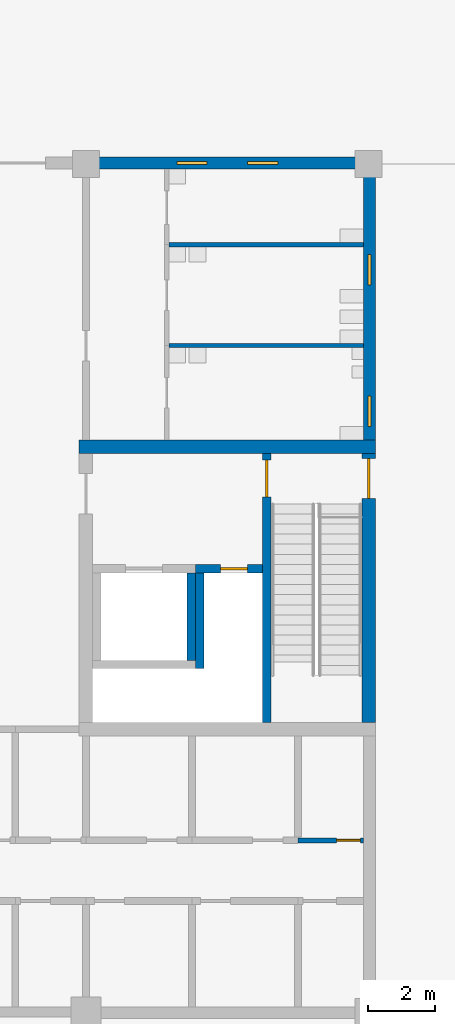
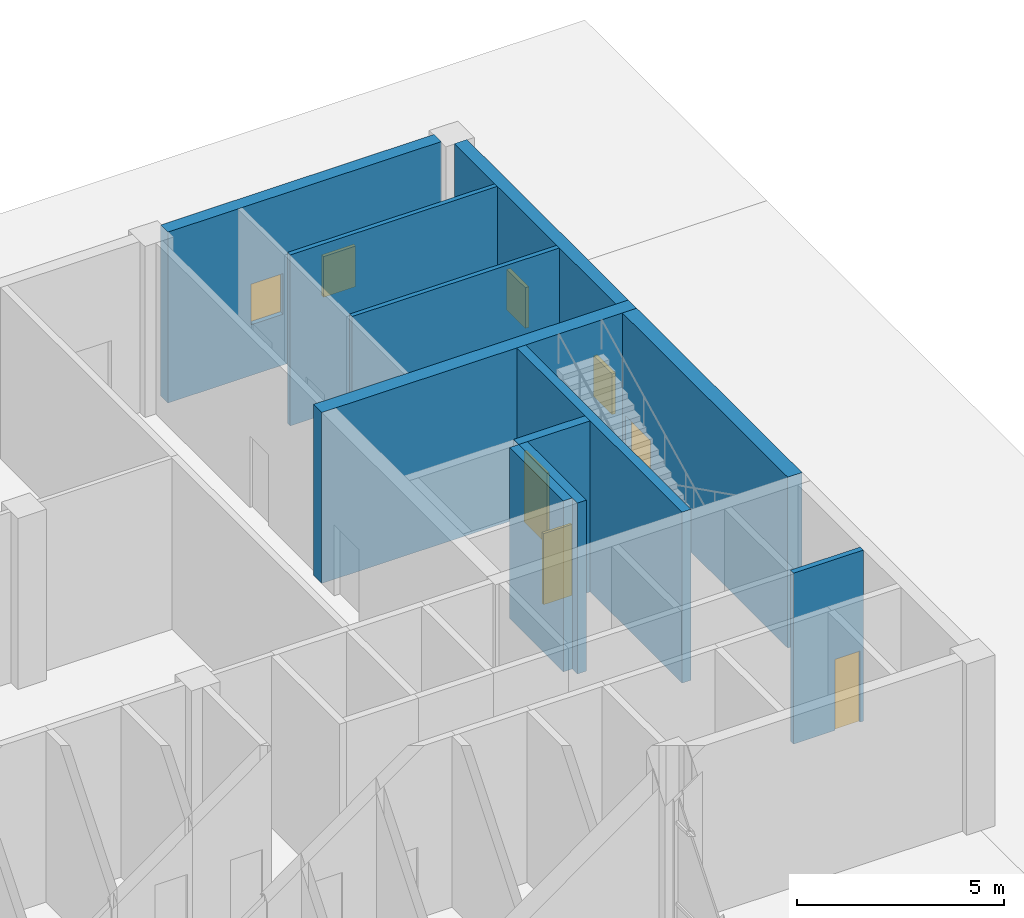
# One storey, part 51 of 76: 11 walls, 4 doors, 4 windows, 8 openings.
"""IFC4 building model written with IfcOpenShell, lengths in metres."""

from ifc_helpers import new_model, si_unit, direction, frame, frame_2d, origin, place, context, subcontext, project, spatial, rectangle, extrude, material, layer, layer_set, type_object, element, fill, save


model = new_model("IFC4")

# Units and contexts
model_context = context("Model", 3, precision=1e-05, world=origin(), true_north=direction((0.0, 1.0)))
body_context = subcontext(model_context, "Body", "Model", "MODEL_VIEW")
ifc_project = project(units=[si_unit("LENGTHUNIT", "METRE"), si_unit("AREAUNIT", "SQUARE_METRE"), si_unit("VOLUMEUNIT", "CUBIC_METRE"), si_unit("PLANEANGLEUNIT", "RADIAN"), si_unit("MASSUNIT", "GRAM", prefix="KILO")], contexts=[model_context])

# Site, building, storey
site_placement = place(None, origin())
site = spatial("IfcSite", under=ifc_project, at=site_placement, CompositionType="ELEMENT")
building_placement = place(site_placement, origin())
building = spatial("IfcBuilding", under=site, at=building_placement, Name="Hlaing Beacon Police Headquarters", CompositionType="ELEMENT")
storey_placement = place(building_placement, origin())
storey = spatial("IfcBuildingStorey", under=building, at=storey_placement, Name="L00", CompositionType="ELEMENT", Elevation=0.0)

# Wall
ifc_material_1 = material(Name="Concrete C60/75", Category="concrete")
ifc_layer_1 = layer(ifc_material_1, 0.39990234375)
ifc_layer_set_1 = layer_set([ifc_layer_1], Name="Concrete C60/75")
wall_type_1 = type_object("IfcWallType", Name="Core shear wall 400", PredefinedType="SHEAR", material=ifc_layer_set_1)
wall_1_placement = place(storey_placement, frame((125.800048828125, 84.0, 0.0), z_axis=(0.0, 0.0, 1.0), x_axis=(1.0, 0.0, 0.0)))
element("IfcWall", 1, at=wall_1_placement, inside=storey, type_object=wall_type_1, Name="Core shear wall", PredefinedType="SHEAR", context=body_context, shape_type="SweptSolid", body=[
    extrude(rectangle(XDim=8.800048828125, YDim=0.39990234375, at=frame_2d((4.39990234375, 0.0))), origin(), (0.0, 0.0, 1.0), 5.050048828125),
])

# Wall, opening, door
wall_2_placement = place(storey_placement, frame((134.39990234375, 75.800048828125, 0.0), z_axis=(0.0, 0.0, 1.0), x_axis=(0.0, 1.0, 0.0)))
wall_2 = element("IfcWall", 2, at=wall_2_placement, inside=storey, type_object=wall_type_1, Name="Core shear wall", PredefinedType="SHEAR", context=body_context, shape_type="SweptSolid", body=[
    extrude(rectangle(XDim=8.0, YDim=0.39990234375, at=frame_2d((4.0, 0.0))), origin(), (0.0, 0.0, 1.0), 5.050048828125),
])
opening_1_placement = place(wall_2_placement, frame((6.64990234375, 0.0, 0.0)))
opening_1 = element("IfcOpeningElement", 3, at=opening_1_placement, cuts=wall_2, Name="Opening L00-984", PredefinedType="OPENING", context=body_context, shape_type="SweptSolid", body=[
    extrude(rectangle(XDim=1.199951171875, YDim=2.10009765625, at=frame_2d((0.60009765625, 1.050048828125))), frame((0.0, 0.2099609375, 0.0), z_axis=(0.0, -1.0, 0.0), x_axis=(1.0, 0.0, 0.0)), (0.0, 0.0, 1.0), 0.419921875),
])
ifc_material_2 = material(Name="Steel fire door leaf", Category="steel")
ifc_layer_2 = layer(ifc_material_2, 0.070068359375)
ifc_layer_set_2 = layer_set([ifc_layer_2], Name="Steel fire door leaf")
door_type_1 = type_object("IfcDoorType", Name="Steel fire door FD60 1200x2100", OperationType="SINGLE_SWING_LEFT", PredefinedType="DOOR", material=ifc_layer_set_2)
door_1_placement = place(opening_1_placement, frame((1.199951171875, 0.0, 0.0), z_axis=(0.0, 0.0, 1.0), x_axis=(-1.0, 0.0, 0.0)))
door_1 = element("IfcDoor", 4, at=door_1_placement, inside=storey, type_object=door_type_1, Name="Door Stair ST-R Exit", OperationType="SINGLE_SWING_RIGHT", OverallHeight=2.10009765625, OverallWidth=1.199951171875, PredefinedType="DOOR", context=body_context, shape_type="SweptSolid", body=[
    extrude(rectangle(XDim=1.199951171875, YDim=2.10009765625, at=frame_2d((0.599853515625, 1.050048828125))), frame((0.0, 0.034912109375, 0.0), z_axis=(0.0, -1.0, 0.0), x_axis=(1.0, 0.0, 0.0)), (0.0, 0.0, 1.0), 0.070068359375),
])
fill(opening_1, door_1)

ifc_material_3 = material(Name="Gypsum board partition")
ifc_layer_3 = layer(ifc_material_3, 0.14990234375)
ifc_layer_set_3 = layer_set([ifc_layer_3], Name="Gypsum board partition")
wall_type_2 = type_object("IfcWallType", Name="Corridor wall EI 30 150", PredefinedType="PARTITIONING", material=ifc_layer_set_3)
wall_3_placement = place(storey_placement, frame((132.300048828125, 72.300048828125, 0.0), z_axis=(0.0, 0.0, 1.0), x_axis=(1.0, 0.0, 0.0)))
wall_3 = element("IfcWall", 5, at=wall_3_placement, inside=storey, type_object=wall_type_2, Name="Corridor wall EI 30 150", PredefinedType="PARTITIONING", context=body_context, shape_type="SweptSolid", body=[
    extrude(rectangle(XDim=1.949951171875, YDim=0.14990234375, at=frame_2d((0.97509765625, 0.0))), origin(), (0.0, 0.0, 1.0), 5.050048828125),
])
opening_2_placement = place(wall_3_placement, frame((1.14990234375, 0.0, 0.0)))
opening_2 = element("IfcOpeningElement", 6, at=opening_2_placement, cuts=wall_3, Name="Opening L00-107", PredefinedType="OPENING", context=body_context, shape_type="SweptSolid", body=[
    extrude(rectangle(XDim=0.699951171875, YDim=2.10009765625, at=frame_2d((0.35009765625, 1.050048828125))), frame((0.0, 0.0849609375, 0.0), z_axis=(0.0, -1.0, 0.0), x_axis=(1.0, 0.0, 0.0)), (0.0, 0.0, 1.0), 0.169921875),
])
ifc_material_4 = material(Name="Hardwood door leaf", Category="wood")
ifc_layer_4 = layer(ifc_material_4, 0.050048828125)
ifc_layer_set_4 = layer_set([ifc_layer_4], Name="Hardwood door leaf")
door_type_2 = type_object("IfcDoorType", Name="Fire cupboard door FD30S 700x2100", OperationType="SINGLE_SWING_LEFT", PredefinedType="DOOR", material=ifc_layer_set_4)
door_2_placement = place(opening_2_placement, origin())
door_2 = element("IfcDoor", 7, at=door_2_placement, inside=storey, type_object=door_type_2, Name="Door Juvenile Suite Store", OperationType="SINGLE_SWING_LEFT", OverallHeight=2.10009765625, OverallWidth=0.699951171875, PredefinedType="DOOR", context=body_context, shape_type="SweptSolid", body=[
    extrude(rectangle(XDim=0.699951171875, YDim=2.10009765625, at=frame_2d((0.35009765625, 1.050048828125))), frame((0.0, 0.02490234375, 0.0), z_axis=(0.0, -1.0, 0.0), x_axis=(1.0, 0.0, 0.0)), (0.0, 0.0, 1.0), 0.050048828125),
])
fill(opening_2, door_2)

# Walls
ifc_material_5 = material(Name="Gypsum board partition")
ifc_layer_5 = layer(ifc_material_5, 0.125)
ifc_layer_set_5 = layer_set([ifc_layer_5], Name="Gypsum board partition")
wall_type_3 = type_object("IfcWallType", Name="Partition 125", PredefinedType="PARTITIONING", material=ifc_layer_set_5)
for number, where, z_axis, x_axis, name in (
    (8, (128.462890625, 90.0, 0.0), (0.0, 0.0, 1.0), (1.0, 0.0, 0.0), "Partition 125"),
    (9, (128.462890625, 87.0, 0.0), (0.0, 0.0, 1.0), (1.0, 0.0, 0.0), "Partition 125"),
):
    element("IfcWall", number, at=place(storey_placement, frame(where, z_axis=z_axis, x_axis=x_axis)), inside=storey, type_object=wall_type_3, Name=name, PredefinedType="PARTITIONING", context=body_context, shape_type="SweptSolid", body=[
        extrude(rectangle(XDim=5.787109375, YDim=0.125, at=frame_2d((2.8935546875, 0.0))), origin(), (0.0, 0.0, 1.0), 5.050048828125),
    ])

# Wall, openings, windows
ifc_material_6 = material(Name="Concrete C40/50 precast with security mesh", Category="concrete")
ifc_layer_6 = layer(ifc_material_6, 0.35009765625)
ifc_layer_set_6 = layer_set([ifc_layer_6], Name="Concrete C40/50 precast with security mesh")
wall_type_4 = type_object("IfcWallType", Name="Precast security wall 350", PredefinedType="SOLIDWALL", material=ifc_layer_set_6)
wall_4_placement = place(storey_placement, frame((134.425048828125, 84.199951171875, 0.0), z_axis=(0.0, 0.0, 1.0), x_axis=(0.0, 1.0, 0.0)))
wall_4 = element("IfcWall", 10, at=wall_4_placement, inside=storey, type_object=wall_type_4, Name="External wall L00 E031", PredefinedType="SOLIDWALL", context=body_context, shape_type="SweptSolid", body=[
    extrude(rectangle(XDim=7.820068359375, YDim=0.35009765625, at=frame_2d((3.91015625, 0.0))), origin(), (0.0, 0.0, 1.0), 5.050048828125),
])
opening_3_placement = place(wall_4_placement, frame((0.39990234375, 0.0, 1.5)))
opening_3 = element("IfcOpeningElement", 11, at=opening_3_placement, cuts=wall_4, Name="Opening WN9", PredefinedType="OPENING", context=body_context, shape_type="SweptSolid", body=[
    extrude(rectangle(XDim=0.89990234375, YDim=1.199951171875, at=frame_2d((0.449951171875, 0.60009765625))), frame((0.0, 0.18505859375, 0.0), z_axis=(0.0, -1.0, 0.0), x_axis=(1.0, 0.0, 0.0)), (0.0, 0.0, 1.0), 0.3701171875),
])
opening_4_placement = place(wall_4_placement, frame((4.60009765625, 0.0, 1.5)))
opening_4 = element("IfcOpeningElement", 12, at=opening_4_placement, cuts=wall_4, Name="Opening WN9", PredefinedType="OPENING", context=body_context, shape_type="SweptSolid", body=[
    extrude(rectangle(XDim=0.89990234375, YDim=1.199951171875, at=frame_2d((0.449951171875, 0.60009765625))), frame((0.0, 0.18505859375, 0.0), z_axis=(0.0, -1.0, 0.0), x_axis=(1.0, 0.0, 0.0)), (0.0, 0.0, 1.0), 0.3701171875),
])
ifc_material_7 = material(Name="Aluminium frame with solar control glazing", Category="aluminium")
window_type = type_object("IfcWindowType", Name="Service room window 900x1200 frame 100", PartitioningType="SINGLE_PANEL", PredefinedType="WINDOW", material=ifc_material_7)
window_1_placement = place(opening_3_placement, origin())
window_1 = element("IfcWindow", 13, at=window_1_placement, inside=storey, type_object=window_type, Name="Window L00 WK", OverallHeight=1.199951171875, OverallWidth=0.89990234375, PartitioningType="SINGLE_PANEL", PredefinedType="WINDOW", context=body_context, shape_type="SweptSolid", body=[
    extrude(rectangle(XDim=0.89990234375, YDim=1.199951171875, at=frame_2d((0.449951171875, 0.60009765625))), frame((0.0, 0.050048828125, 0.0), z_axis=(0.0, -1.0, 0.0), x_axis=(1.0, 0.0, 0.0)), (0.0, 0.0, 1.0), 0.10009765625),
])
fill(opening_3, window_1)
window_2_placement = place(opening_4_placement, origin())
window_2 = element("IfcWindow", 14, at=window_2_placement, inside=storey, type_object=window_type, Name="Window L00 WK", OverallHeight=1.199951171875, OverallWidth=0.89990234375, PartitioningType="SINGLE_PANEL", PredefinedType="WINDOW", context=body_context, shape_type="SweptSolid", body=[
    extrude(rectangle(XDim=0.89990234375, YDim=1.199951171875, at=frame_2d((0.449951171875, 0.60009765625))), frame((0.0, 0.050048828125, 0.0), z_axis=(0.0, -1.0, 0.0), x_axis=(1.0, 0.0, 0.0)), (0.0, 0.0, 1.0), 0.10009765625),
])
fill(opening_4, window_2)

wall_5_placement = place(storey_placement, frame((134.02001953125, 92.425048828125, 0.0), z_axis=(0.0, 0.0, 1.0), x_axis=(-1.0, 0.0, 0.0)))
wall_5 = element("IfcWall", 15, at=wall_5_placement, inside=storey, type_object=wall_type_4, Name="External wall L00 N032", PredefinedType="SOLIDWALL", context=body_context, shape_type="SweptSolid", body=[
    extrude(rectangle(XDim=7.64013671875, YDim=0.35009765625, at=frame_2d((3.820068359375, 0.0))), origin(), (0.0, 0.0, 1.0), 5.050048828125),
])
opening_5_placement = place(wall_5_placement, frame((2.320068359375, 0.0, 1.5)))
opening_5 = element("IfcOpeningElement", 16, at=opening_5_placement, cuts=wall_5, Name="Opening WN9", PredefinedType="OPENING", context=body_context, shape_type="SweptSolid", body=[
    extrude(rectangle(XDim=0.89990234375, YDim=1.199951171875, at=frame_2d((0.449951171875, 0.60009765625))), frame((0.0, 0.18505859375, 0.0), z_axis=(0.0, -1.0, 0.0), x_axis=(1.0, 0.0, 0.0)), (0.0, 0.0, 1.0), 0.3701171875),
])
opening_6_placement = place(wall_5_placement, frame((4.419921875, 0.0, 1.5)))
opening_6 = element("IfcOpeningElement", 17, at=opening_6_placement, cuts=wall_5, Name="Opening WN9", PredefinedType="OPENING", context=body_context, shape_type="SweptSolid", body=[
    extrude(rectangle(XDim=0.89990234375, YDim=1.199951171875, at=frame_2d((0.449951171875, 0.60009765625))), frame((0.0, 0.18505859375, 0.0), z_axis=(0.0, -1.0, 0.0), x_axis=(1.0, 0.0, 0.0)), (0.0, 0.0, 1.0), 0.3701171875),
])
window_3_placement = place(opening_5_placement, origin())
window_3 = element("IfcWindow", 18, at=window_3_placement, inside=storey, type_object=window_type, Name="Window L00 WK", OverallHeight=1.199951171875, OverallWidth=0.89990234375, PartitioningType="SINGLE_PANEL", PredefinedType="WINDOW", context=body_context, shape_type="SweptSolid", body=[
    extrude(rectangle(XDim=0.89990234375, YDim=1.199951171875, at=frame_2d((0.449951171875, 0.60009765625))), frame((0.0, 0.050048828125, 0.0), z_axis=(0.0, -1.0, 0.0), x_axis=(1.0, 0.0, 0.0)), (0.0, 0.0, 1.0), 0.10009765625),
])
fill(opening_5, window_3)
window_4_placement = place(opening_6_placement, origin())
window_4 = element("IfcWindow", 19, at=window_4_placement, inside=storey, type_object=window_type, Name="Window L00 WK", OverallHeight=1.199951171875, OverallWidth=0.89990234375, PartitioningType="SINGLE_PANEL", PredefinedType="WINDOW", context=body_context, shape_type="SweptSolid", body=[
    extrude(rectangle(XDim=0.89990234375, YDim=1.199951171875, at=frame_2d((0.449951171875, 0.60009765625))), frame((0.0, 0.050048828125, 0.0), z_axis=(0.0, -1.0, 0.0), x_axis=(1.0, 0.0, 0.0)), (0.0, 0.0, 1.0), 0.10009765625),
])
fill(opening_6, window_4)

# Wall, opening, door
ifc_material_8 = material(Name="Concrete C40/50", Category="concrete")
ifc_layer_7 = layer(ifc_material_8, 0.25)
ifc_layer_set_7 = layer_set([ifc_layer_7], Name="Concrete C40/50")
wall_type_5 = type_object("IfcWallType", Name="Shaft wall 250", PredefinedType="SOLIDWALL", material=ifc_layer_set_7)
wall_6_placement = place(storey_placement, frame((131.375, 83.800048828125, 0.0), z_axis=(0.0, 0.0, 1.0), x_axis=(0.0, -1.0, 0.0)))
wall_6 = element("IfcWall", 20, at=wall_6_placement, inside=storey, type_object=wall_type_5, Name="Stair enclosure wall", PredefinedType="SOLIDWALL", context=body_context, shape_type="SweptSolid", body=[
    extrude(rectangle(XDim=8.0, YDim=0.25, at=frame_2d((4.0, 0.0))), origin(), (0.0, 0.0, 1.0), 5.050048828125),
])
opening_7_placement = place(wall_6_placement, frame((0.199951171875, 0.0, 0.0)))
opening_7 = element("IfcOpeningElement", 21, at=opening_7_placement, cuts=wall_6, Name="Opening L00-983", PredefinedType="OPENING", context=body_context, shape_type="SweptSolid", body=[
    extrude(rectangle(XDim=1.10009765625, YDim=2.10009765625, at=frame_2d((0.550048828125, 1.050048828125))), frame((0.0, 0.135009765625, 0.0), z_axis=(0.0, -1.0, 0.0), x_axis=(1.0, 0.0, 0.0)), (0.0, 0.0, 1.0), 0.27001953125),
])
ifc_material_9 = material(Name="Steel fire door leaf", Category="steel")
ifc_layer_8 = layer(ifc_material_9, 0.070068359375)
ifc_layer_set_8 = layer_set([ifc_layer_8], Name="Steel fire door leaf")
door_type_3 = type_object("IfcDoorType", Name="Steel fire door FD60 1100x2100", OperationType="SINGLE_SWING_LEFT", PredefinedType="DOOR", material=ifc_layer_set_8)
door_3_placement = place(opening_7_placement, origin())
door_3 = element("IfcDoor", 22, at=door_3_placement, inside=storey, type_object=door_type_3, Name="Door Stair ST-R", OperationType="SINGLE_SWING_RIGHT", OverallHeight=2.10009765625, OverallWidth=1.10009765625, PredefinedType="DOOR", context=body_context, shape_type="SweptSolid", body=[
    extrude(rectangle(XDim=1.10009765625, YDim=2.10009765625, at=frame_2d((0.550048828125, 1.050048828125))), frame((0.0, 0.03515625, 0.0), z_axis=(0.0, -1.0, 0.0), x_axis=(1.0, 0.0, 0.0)), (0.0, 0.0, 1.0), 0.070068359375),
])
fill(opening_7, door_3)

wall_7_placement = place(storey_placement, frame((131.25, 80.375, 0.0), z_axis=(0.0, 0.0, 1.0), x_axis=(-1.0, 0.0, 0.0)))
wall_7 = element("IfcWall", 23, at=wall_7_placement, inside=storey, type_object=wall_type_5, Name="Firefighting lobby wall", PredefinedType="SOLIDWALL", context=body_context, shape_type="SweptSolid", body=[
    extrude(rectangle(XDim=2.0, YDim=0.25, at=frame_2d((1.0, 0.0))), origin(), (0.0, 0.0, 1.0), 5.050048828125),
])
opening_8_placement = place(wall_7_placement, frame((0.449951171875, 0.0, 0.0)))
opening_8 = element("IfcOpeningElement", 24, at=opening_8_placement, cuts=wall_7, Name="Opening L00-982", PredefinedType="OPENING", context=body_context, shape_type="SweptSolid", body=[
    extrude(rectangle(XDim=0.800048828125, YDim=2.10009765625, at=frame_2d((0.39990234375, 1.050048828125))), frame((0.0, 0.135009765625, 0.0), z_axis=(0.0, -1.0, 0.0), x_axis=(1.0, 0.0, 0.0)), (0.0, 0.0, 1.0), 0.27001953125),
])
ifc_material_10 = material(Name="Steel fire door leaf", Category="steel")
ifc_layer_9 = layer(ifc_material_10, 0.070068359375)
ifc_layer_set_9 = layer_set([ifc_layer_9], Name="Steel fire door leaf")
door_type_4 = type_object("IfcDoorType", Name="Steel fire door FD60 800x2100", OperationType="SINGLE_SWING_LEFT", PredefinedType="DOOR", material=ifc_layer_set_9)
door_4_placement = place(opening_8_placement, origin())
door_4 = element("IfcDoor", 25, at=door_4_placement, inside=storey, type_object=door_type_4, Name="Door Services Riser", OperationType="SINGLE_SWING_RIGHT", OverallHeight=2.10009765625, OverallWidth=0.800048828125, PredefinedType="DOOR", context=body_context, shape_type="SweptSolid", body=[
    extrude(rectangle(XDim=0.800048828125, YDim=2.10009765625, at=frame_2d((0.39990234375, 1.050048828125))), frame((0.0, 0.03515625, 0.0), z_axis=(0.0, -1.0, 0.0), x_axis=(1.0, 0.0, 0.0)), (0.0, 0.0, 1.0), 0.070068359375),
])
fill(opening_8, door_4)

# Walls
wall_8_placement = place(storey_placement, frame((129.375, 80.25, 0.0), z_axis=(0.0, 0.0, 1.0), x_axis=(0.0, -1.0, 0.0)))
element("IfcWall", 26, at=wall_8_placement, inside=storey, type_object=wall_type_5, Name="Riser wall", PredefinedType="SOLIDWALL", context=body_context, shape_type="SweptSolid", body=[
    extrude(rectangle(XDim=2.85009765625, YDim=0.25, at=frame_2d((1.425048828125, 0.0))), origin(), (0.0, 0.0, 1.0), 5.050048828125),
])
wall_9_placement = place(storey_placement, frame((129.125, 77.64990234375, 0.0), z_axis=(0.0, 0.0, 1.0), x_axis=(0.0, 1.0, 0.0)))
element("IfcWall", 27, at=wall_9_placement, inside=storey, type_object=wall_type_5, Name="Lift shaft wall FL3", PredefinedType="SOLIDWALL", context=body_context, shape_type="SweptSolid", body=[
    extrude(rectangle(XDim=2.60009765625, YDim=0.25, at=frame_2d((1.300048828125, 0.0))), origin(), (0.0, 0.0, 1.0), 5.050048828125),
])

save(model, "model.ifc")
